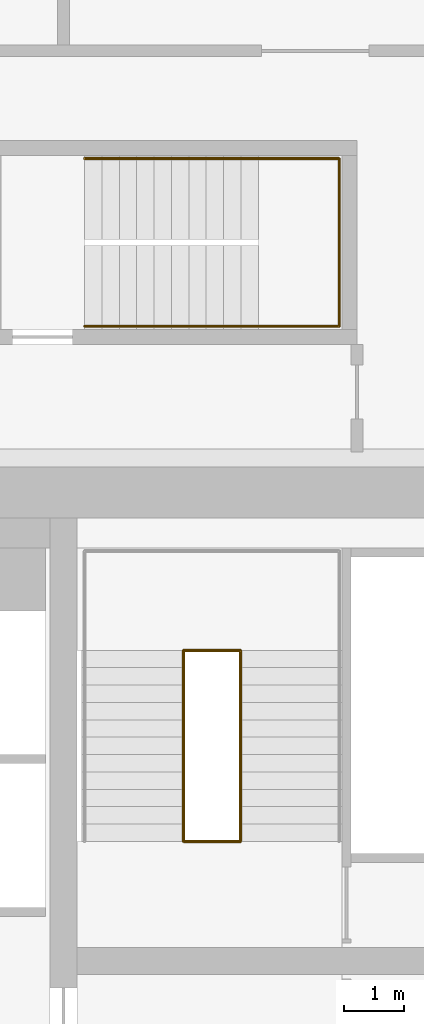
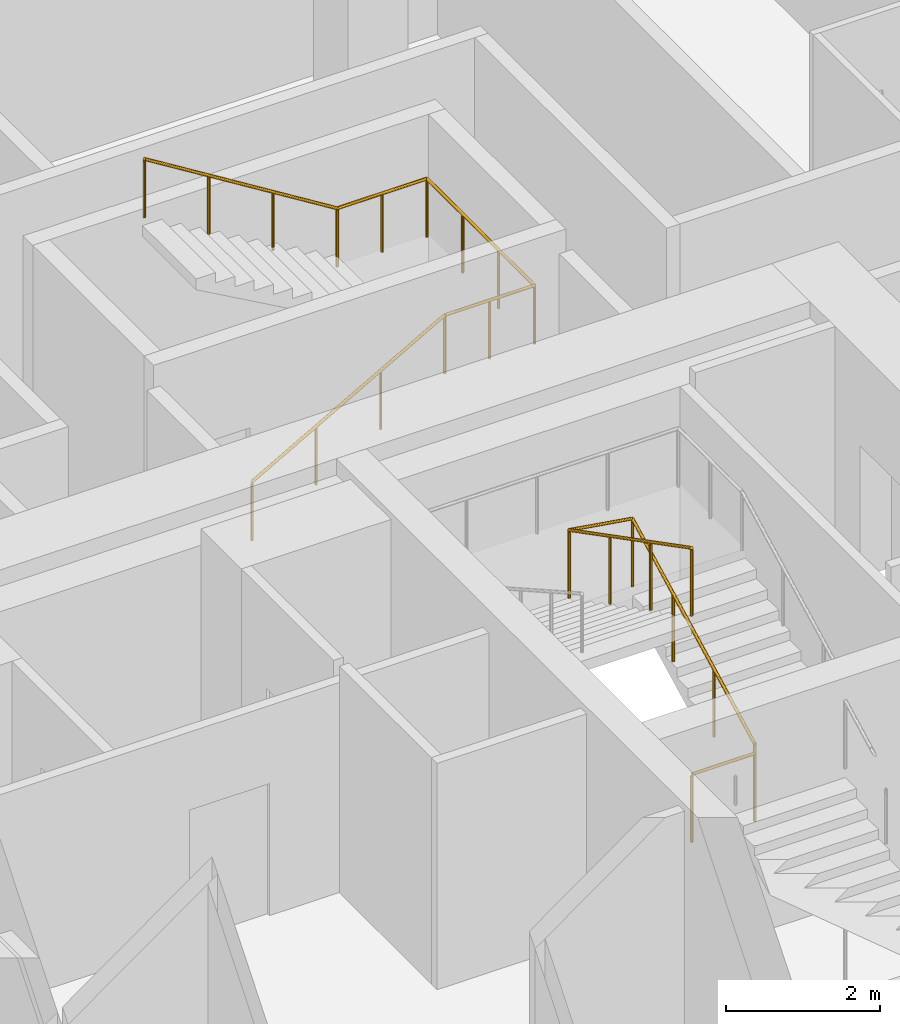
# One storey, part 23 of 23: 2 railings.
"""IFC4 building model written with IfcOpenShell, lengths in metres."""

from ifc_helpers import new_model, si_unit, direction, frame, origin, origin_2d, place, context, subcontext, project, spatial, circle, extrude, material, type_object, element, save


model = new_model("IFC4")

# Units and contexts
model_context = context("Model", 3, precision=1e-05, world=origin(), true_north=direction((0.0, 1.0)))
body_context = subcontext(model_context, "Body", "Model", "MODEL_VIEW")
ifc_project = project(units=[si_unit("LENGTHUNIT", "METRE"), si_unit("AREAUNIT", "SQUARE_METRE"), si_unit("VOLUMEUNIT", "CUBIC_METRE"), si_unit("PLANEANGLEUNIT", "RADIAN"), si_unit("MASSUNIT", "GRAM", prefix="KILO")], contexts=[model_context])

# Site, building, storey
site_placement = place(None, origin())
site = spatial("IfcSite", under=ifc_project, at=site_placement, CompositionType="ELEMENT")
building_placement = place(site_placement, origin())
building = spatial("IfcBuilding", under=site, at=building_placement, Name="Marenta Gate Hotel Tower", CompositionType="ELEMENT")
storey_placement = place(building_placement, frame((0.0, 0.0, 112.10009765625)))
storey = spatial("IfcBuildingStorey", under=building, at=storey_placement, Name="L24", CompositionType="ELEMENT", Elevation=112.10009765625)

# Railings
ifc_material_1 = material(Name="Stainless steel", Category="steel")
railing_type_1 = type_object("IfcRailingType", Name="Core stair handrail 950", PredefinedType="HANDRAIL", material=ifc_material_1)
railing_1_placement = place(storey_placement, frame((4.550048828125, 19.0, 0.16357421875)))
element("IfcRailing", 1, at=railing_1_placement, inside=storey, type_object=railing_type_1, Name="HR-950 L24-RS-Z2-4-KR-1", PredefinedType="HANDRAIL", context=body_context, shape_type="SweptSolid", body=[
    extrude(circle(Radius=0.02392578125, at=origin_2d()), frame((0.0, 0.0, 0.92578125), z_axis=(0.870928581787, 0.0, 0.491409610636), x_axis=(0.0, 1.0, 0.0)), (0.0, 0.0, 1.0), 3.32958984375),
    extrude(circle(Radius=0.02392578125, at=origin_2d()), frame((2.89990234375, 0.0, 2.56201171875), z_axis=(1.0, 0.0, 0.0), x_axis=(0.0, 1.0, 0.0)), (0.0, 0.0, 1.0), 1.35009765625),
    extrude(circle(Radius=0.02392578125, at=origin_2d()), frame((4.25, 0.0, 2.56201171875), z_axis=(0.0, 1.0, 0.0), x_axis=(-1.0, 0.0, 0.0)), (0.0, 0.0, 1.0), 2.800048828125),
    extrude(circle(Radius=0.02392578125, at=origin_2d()), frame((4.25, 2.800048828125, 2.56201171875), z_axis=(-1.0, 0.0, 0.0), x_axis=(0.0, -1.0, 0.0)), (0.0, 0.0, 1.0), 1.35009765625),
    extrude(circle(Radius=0.02392578125, at=origin_2d()), frame((2.89990234375, 2.800048828125, 2.56201171875), z_axis=(-0.849625798611, 0.0, 0.527386008853), x_axis=(0.0, -1.0, 0.0)), (0.0, 0.0, 1.0), 3.4130859375),
    extrude(circle(Radius=0.02099609375, at=origin_2d()), origin(), (0.0, 0.0, 1.0), 0.90185546875),
    extrude(circle(Radius=0.02099609375, at=origin_2d()), frame((0.966552734375, 0.0, 0.54541015625)), (0.0, 0.0, 1.0), 0.90185546875),
    extrude(circle(Radius=0.02099609375, at=origin_2d()), frame((1.933349609375, 0.0, 1.0908203125)), (0.0, 0.0, 1.0), 0.90185546875),
    extrude(circle(Radius=0.02099609375, at=origin_2d()), frame((2.89990234375, 0.0, 1.63623046875)), (0.0, 0.0, 1.0), 0.90185546875),
    extrude(circle(Radius=0.02099609375, at=origin_2d()), frame((3.574951171875, 0.0, 1.63623046875)), (0.0, 0.0, 1.0), 0.90185546875),
    extrude(circle(Radius=0.02099609375, at=origin_2d()), frame((4.25, 0.0, 1.63623046875)), (0.0, 0.0, 1.0), 0.90185546875),
    extrude(circle(Radius=0.02099609375, at=origin_2d()), frame((4.25, 0.933349609375, 1.63623046875)), (0.0, 0.0, 1.0), 0.90185546875),
    extrude(circle(Radius=0.02099609375, at=origin_2d()), frame((4.25, 1.86669921875, 1.63623046875)), (0.0, 0.0, 1.0), 0.90185546875),
    extrude(circle(Radius=0.02099609375, at=origin_2d()), frame((4.25, 2.800048828125, 1.63623046875)), (0.0, 0.0, 1.0), 0.90185546875),
    extrude(circle(Radius=0.02099609375, at=origin_2d()), frame((3.574951171875, 2.800048828125, 1.63623046875)), (0.0, 0.0, 1.0), 0.90185546875),
    extrude(circle(Radius=0.02099609375, at=origin_2d()), frame((2.89990234375, 2.800048828125, 1.63623046875)), (0.0, 0.0, 1.0), 0.90185546875),
    extrude(circle(Radius=0.02099609375, at=origin_2d()), frame((1.933349609375, 2.800048828125, 2.236328125)), (0.0, 0.0, 1.0), 0.90185546875),
    extrude(circle(Radius=0.02099609375, at=origin_2d()), frame((0.966552734375, 2.800048828125, 2.836181640625)), (0.0, 0.0, 1.0), 0.90185546875),
    extrude(circle(Radius=0.02099609375, at=origin_2d()), frame((0.0, 2.800048828125, 3.436279296875)), (0.0, 0.0, 1.0), 0.90185546875),
])
ifc_material_2 = material(Name="Stainless steel", Category="steel")
railing_type_2 = type_object("IfcRailingType", Name="Core stair well guard 1100", PredefinedType="GUARDRAIL", material=ifc_material_2)
railing_2_placement = place(storey_placement, frame((6.199951171875, 10.39990234375, 0.0)))
element("IfcRailing", 2, at=railing_2_placement, inside=storey, type_object=railing_type_2, Name="GR-1100 L24-KR-ST4-2", PredefinedType="GUARDRAIL", context=body_context, shape_type="SweptSolid", body=[
    extrude(circle(Radius=0.02392578125, at=origin_2d()), frame((0.0, 0.0, 1.076171875), z_axis=(1.0, 0.0, 0.0), x_axis=(0.0, 1.0, 0.0)), (0.0, 0.0, 1.0), 0.949951171875),
    extrude(circle(Radius=0.02392578125, at=origin_2d()), frame((0.949951171875, 0.0, 1.076171875), z_axis=(0.0, 0.0, 1.0), x_axis=(1.0, 0.0, 0.0)), (0.0, 0.0, 1.0), 0.14990234375),
    extrude(circle(Radius=0.02392578125, at=origin_2d()), frame((0.949951171875, 0.0, 1.22607421875), z_axis=(0.0, 0.888239641807, 0.459380385653), x_axis=(-1.0, 0.0, 0.0)), (0.0, 0.0, 1.0), 3.591552734375),
    extrude(circle(Radius=0.02392578125, at=origin_2d()), frame((0.949951171875, 3.190185546875, 2.8759765625), z_axis=(-0.987738253826, 0.0, 0.156118999255), x_axis=(0.0, -1.0, 0.0)), (0.0, 0.0, 1.0), 0.961669921875),
    extrude(circle(Radius=0.02392578125, at=origin_2d()), frame((0.0, 3.190185546875, 3.02587890625), z_axis=(0.0, -0.888239641807, 0.459380385653), x_axis=(1.0, 0.0, 0.0)), (0.0, 0.0, 1.0), 3.591552734375),
    extrude(circle(Radius=0.02099609375, at=origin_2d()), origin(), (0.0, 0.0, 1.0), 1.052001953125),
    extrude(circle(Radius=0.02099609375, at=origin_2d()), frame((0.949951171875, 0.0, 0.0)), (0.0, 0.0, 1.0), 1.052001953125),
    extrude(circle(Radius=0.02099609375, at=origin_2d()), frame((0.949951171875, 0.0, 0.14990234375)), (0.0, 0.0, 1.0), 1.052001953125),
    extrude(circle(Radius=0.02099609375, at=origin_2d()), frame((0.949951171875, 1.0634765625, 0.699951171875)), (0.0, 0.0, 1.0), 1.052001953125),
    extrude(circle(Radius=0.02099609375, at=origin_2d()), frame((0.949951171875, 2.126708984375, 1.249755859375)), (0.0, 0.0, 1.0), 1.052001953125),
    extrude(circle(Radius=0.02099609375, at=origin_2d()), frame((0.949951171875, 3.190185546875, 1.7998046875)), (0.0, 0.0, 1.0), 1.052001953125),
    extrude(circle(Radius=0.02099609375, at=origin_2d()), frame((0.0, 3.190185546875, 1.949951171875)), (0.0, 0.0, 1.0), 1.052001953125),
    extrude(circle(Radius=0.02099609375, at=origin_2d()), frame((0.0, 2.126708984375, 2.5)), (0.0, 0.0, 1.0), 1.052001953125),
    extrude(circle(Radius=0.02099609375, at=origin_2d()), frame((0.0, 1.0634765625, 3.0498046875)), (0.0, 0.0, 1.0), 1.052001953125),
    extrude(circle(Radius=0.02099609375, at=origin_2d()), frame((0.0, 0.0, 3.599853515625)), (0.0, 0.0, 1.0), 1.052001953125),
])

save(model, "model.ifc")
